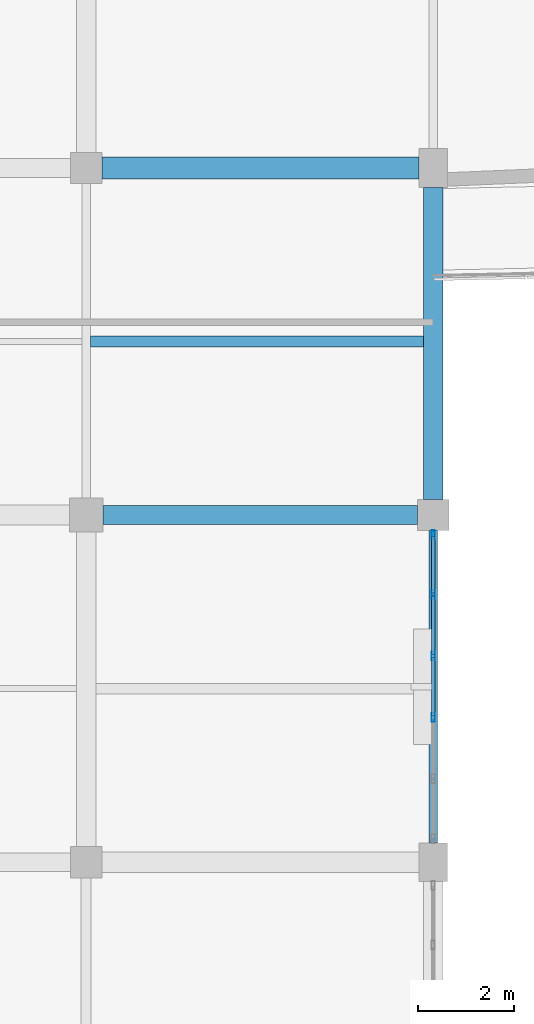
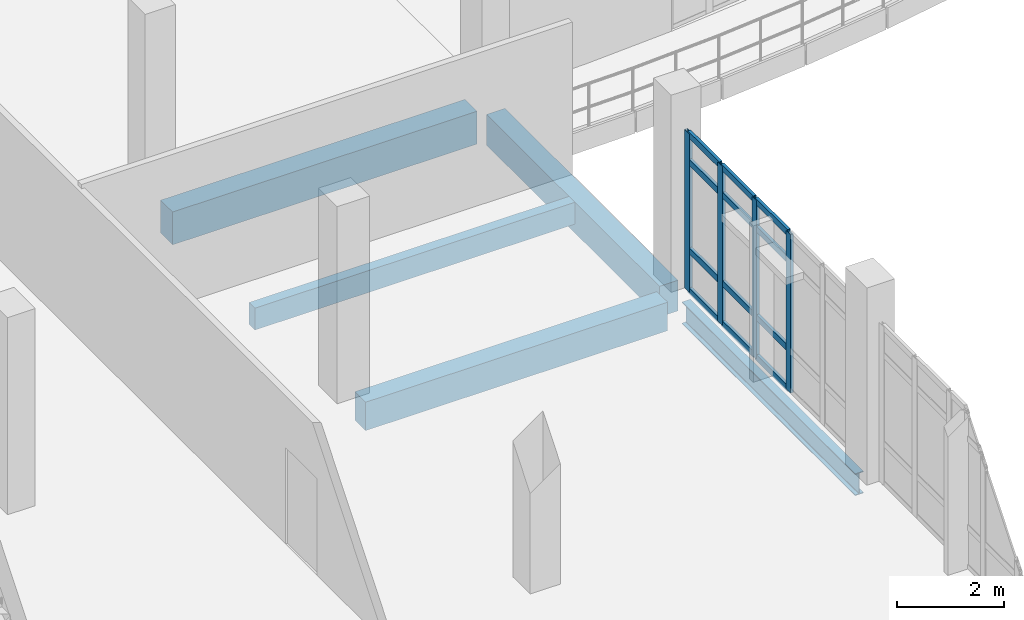
# One storey, part 30 of 116: 16 members, 5 beams, 1 element without a shape of its own.
"""IFC4 building model written with IfcOpenShell, lengths in metres."""

from ifc_helpers import new_model, si_unit, direction, frame, origin, origin_2d, place, context, subcontext, project, spatial, rectangle, hollow_rectangle, i_section, extrude, material, material_profile, profile_set, type_object, element, aggregate, save


model = new_model("IFC4")

# Units and contexts
model_context = context("Model", 3, precision=1e-05, world=origin(), true_north=direction((0.0, 1.0)))
body_context = subcontext(model_context, "Body", "Model", "MODEL_VIEW")
ifc_project = project(units=[si_unit("LENGTHUNIT", "METRE"), si_unit("AREAUNIT", "SQUARE_METRE"), si_unit("VOLUMEUNIT", "CUBIC_METRE"), si_unit("PLANEANGLEUNIT", "RADIAN"), si_unit("MASSUNIT", "GRAM", prefix="KILO")], contexts=[model_context])

# Site, building, storey
site_placement = place(None, origin())
site = spatial("IfcSite", under=ifc_project, at=site_placement, CompositionType="ELEMENT")
building_placement = place(site_placement, origin())
building = spatial("IfcBuilding", under=site, at=building_placement, Name="Kalluvel Institute of Natural Sciences", CompositionType="ELEMENT")
storey_placement = place(building_placement, frame((0.0, 0.0, 14.39990234375)))
storey = spatial("IfcBuildingStorey", under=building, at=storey_placement, Name="L03", CompositionType="ELEMENT", Elevation=14.39990234375)

# Beams
ifc_material_1 = material(Name="Steel E350 Grade 350", Category="steel")
ifc_material_profile_1 = material_profile(ifc_material_1, i_section(OverallWidth=0.179931640625, OverallDepth=0.5, WebThickness=0.01025390625, FlangeThickness=0.01708984375, FilletRadius=0.01708984375, at=origin_2d()), Name="ISMB 500")
ifc_profile_set_1 = profile_set([ifc_material_profile_1], Name="Steel E350 Grade 350")
beam_type_1 = type_object("IfcBeamType", Name="BM-ISMB500", PredefinedType="BEAM", material=ifc_profile_set_1)
beam_1_placement = place(storey_placement, frame((35.60009765625, 43.199951171875, -0.5498046875), z_axis=(0.0, 1.0, 0.0), x_axis=(-1.0, 0.0, 0.0)))
element("IfcBeam", 1, at=beam_1_placement, inside=storey, type_object=beam_type_1, Name="L03 girder GIR-L03-NS-X356-Y428", PredefinedType="BEAM", context=body_context, shape_type="SweptSolid", body=[
    extrude(i_section(OverallWidth=0.179931640625, OverallDepth=0.5, WebThickness=0.01025390625, FlangeThickness=0.01708984375, FilletRadius=0.01708984375, at=origin_2d()), origin(), (0.0, 0.0, 1.0), 6.47509765625),
])
ifc_material_2 = material(Name="Concrete M40", Category="concrete")
ifc_material_profile_2 = material_profile(ifc_material_2, rectangle(XDim=0.39990234375, YDim=0.64990234375, at=origin_2d()), Name="RCB 400x650")
ifc_profile_set_2 = profile_set([ifc_material_profile_2], Name="Concrete M40")
beam_type_2 = type_object("IfcBeamType", Name="BM-RC400x650", PredefinedType="BEAM", material=ifc_profile_set_2)
beam_2_placement = place(storey_placement, frame((28.75, 50.0, -0.625), z_axis=(1.0, 0.0, 0.0), x_axis=(0.0, 1.0, 0.0)))
element("IfcBeam", 2, at=beam_2_placement, inside=storey, type_object=beam_type_2, Name="L03 girder GIR-L03-EW-X284-Y500", PredefinedType="BEAM", context=body_context, shape_type="SweptSolid", body=[
    extrude(rectangle(XDim=0.39990234375, YDim=0.64990234375, at=origin_2d()), origin(), (0.0, 0.0, 1.0), 6.52490234375),
])
ifc_material_profile_3 = material_profile(ifc_material_2, rectangle(XDim=0.39990234375, YDim=0.699951171875, at=origin_2d()), Name="RCB 400x700")
ifc_profile_set_3 = profile_set([ifc_material_profile_3], Name="Concrete M40")
beam_type_3 = type_object("IfcBeamType", Name="BM-RC400x700", PredefinedType="BEAM", material=ifc_profile_set_3)
beam_3_placement = place(storey_placement, frame((35.60009765625, 50.324951171875, -0.64990234375), z_axis=(0.0, 1.0, 0.0), x_axis=(-1.0, 0.0, 0.0)))
element("IfcBeam", 3, at=beam_3_placement, inside=storey, type_object=beam_type_3, Name="L03 girder GIR-L03-NS-X356-Y500", PredefinedType="BEAM", context=body_context, shape_type="SweptSolid", body=[
    extrude(rectangle(XDim=0.39990234375, YDim=0.699951171875, at=origin_2d()), origin(), (0.0, 0.0, 1.0), 6.47509765625),
])
ifc_material_profile_4 = material_profile(ifc_material_2, rectangle(XDim=0.449951171875, YDim=0.75, at=origin_2d()), Name="RCB 450x750")
ifc_profile_set_4 = profile_set([ifc_material_profile_4], Name="Concrete M40")
beam_type_4 = type_object("IfcBeamType", Name="BM-RC450x750", PredefinedType="BEAM", material=ifc_profile_set_4)
beam_4_placement = place(storey_placement, frame((28.72509765625, 57.199951171875, -0.6748046875), z_axis=(1.0, 0.0, 0.0), x_axis=(0.0, 1.0, 0.0)))
element("IfcBeam", 4, at=beam_4_placement, inside=storey, type_object=beam_type_4, Name="L03 girder GIR-L03-EW-X284-Y572", PredefinedType="BEAM", context=body_context, shape_type="SweptSolid", body=[
    extrude(rectangle(XDim=0.449951171875, YDim=0.75, at=origin_2d()), origin(), (0.0, 0.0, 1.0), 6.574951171875),
])

# Curtain wall, members
ifc_material_3 = material(Name="Aluminium AW-6063 T6", Category="aluminium")
curtain_wall_type = type_object("IfcCurtainWallType", Name="CW-DRY-45", PredefinedType="USERDEFINED", material=ifc_material_3)
curtain_wall_placement = place(storey_placement, origin())
curtain_wall = element("IfcCurtainWall", 5, at=curtain_wall_placement, inside=storey, type_object=curtain_wall_type, Name="L03 Gothic lancet curtain wall CWA-L03-X356-Y432", ObjectType="UNITISED LANCET FACADE", PredefinedType="USERDEFINED")
ifc_material_profile_5 = material_profile(ifc_material_3, hollow_rectangle(XDim=0.06494140625, YDim=0.179931640625, WallThickness=0.00439453125, at=origin_2d()), Name="CWM 65x180")
ifc_profile_set_5 = profile_set([ifc_material_profile_5], Name="Aluminium AW-6063 T6")
member_type_1 = type_object("IfcMemberType", Name="CWM-65x180", PredefinedType="MULLION", material=ifc_profile_set_5)
member_1_placement = place(storey_placement, frame((35.60009765625, 45.800048828125, 0.0), z_axis=(0.0, 0.0, 1.0), x_axis=(-1.0, 0.0, 0.0)))
member_1 = element("IfcMember", 6, at=member_1_placement, type_object=member_type_1, Name="CW-03 mullion 3", PredefinedType="MULLION", context=body_context, shape_type="SweptSolid", body=[
    extrude(hollow_rectangle(XDim=0.06494140625, YDim=0.179931640625, WallThickness=0.00439453125, at=origin_2d()), origin(), (0.0, 0.0, 1.0), 3.6201171875),
])
member_2_placement = place(storey_placement, frame((35.60009765625, 47.074951171875, 0.0), z_axis=(0.0, 0.0, 1.0), x_axis=(-1.0, 0.0, 0.0)))
member_2 = element("IfcMember", 7, at=member_2_placement, type_object=member_type_1, Name="CW-03 mullion 4", PredefinedType="MULLION", context=body_context, shape_type="SweptSolid", body=[
    extrude(hollow_rectangle(XDim=0.06494140625, YDim=0.179931640625, WallThickness=0.00439453125, at=origin_2d()), origin(), (0.0, 0.0, 1.0), 3.6201171875),
])
member_3_placement = place(storey_placement, frame((35.60009765625, 48.35009765625, 0.0), z_axis=(0.0, 0.0, 1.0), x_axis=(-1.0, 0.0, 0.0)))
member_3 = element("IfcMember", 8, at=member_3_placement, type_object=member_type_1, Name="CW-03 mullion 5", PredefinedType="MULLION", context=body_context, shape_type="SweptSolid", body=[
    extrude(hollow_rectangle(XDim=0.06494140625, YDim=0.179931640625, WallThickness=0.00439453125, at=origin_2d()), origin(), (0.0, 0.0, 1.0), 3.6201171875),
])
member_4_placement = place(storey_placement, frame((35.60009765625, 49.592529296875, 0.0), z_axis=(0.0, 0.0, 1.0), x_axis=(-1.0, 0.0, 0.0)))
member_4 = element("IfcMember", 9, at=member_4_placement, type_object=member_type_1, Name="CW-03 mullion 6", PredefinedType="MULLION", context=body_context, shape_type="SweptSolid", body=[
    extrude(hollow_rectangle(XDim=0.06494140625, YDim=0.179931640625, WallThickness=0.00439453125, at=origin_2d()), origin(), (0.0, 0.0, 1.0), 3.6201171875),
])
ifc_material_profile_6 = material_profile(ifc_material_3, hollow_rectangle(XDim=0.06494140625, YDim=0.139892578125, WallThickness=0.00439453125, at=origin_2d()), Name="CWT 65x140")
ifc_profile_set_6 = profile_set([ifc_material_profile_6], Name="Aluminium AW-6063 T6")
member_type_2 = type_object("IfcMemberType", Name="CWT-65x140", PredefinedType="USERDEFINED", material=ifc_profile_set_6)
member_5_placement = place(storey_placement, frame((35.60009765625, 45.83251953125, 0.03271484375), z_axis=(0.0, 1.0, 0.0), x_axis=(-1.0, 0.0, 0.0)))
member_5 = element("IfcMember", 10, at=member_5_placement, type_object=member_type_2, Name="CW-03 transom 3.1", ObjectType="TRANSOM", PredefinedType="USERDEFINED", context=body_context, shape_type="SweptSolid", body=[
    extrude(hollow_rectangle(XDim=0.06494140625, YDim=0.139892578125, WallThickness=0.00439453125, at=origin_2d()), origin(), (0.0, 0.0, 1.0), 1.2099609375),
])
member_6_placement = place(storey_placement, frame((35.60009765625, 45.83251953125, 0.9501953125), z_axis=(0.0, 1.0, 0.0), x_axis=(-1.0, 0.0, 0.0)))
member_6 = element("IfcMember", 11, at=member_6_placement, type_object=member_type_2, Name="CW-03 transom 3.2", ObjectType="TRANSOM", PredefinedType="USERDEFINED", context=body_context, shape_type="SweptSolid", body=[
    extrude(hollow_rectangle(XDim=0.06494140625, YDim=0.139892578125, WallThickness=0.00439453125, at=origin_2d()), origin(), (0.0, 0.0, 1.0), 1.2099609375),
])
member_7_placement = place(storey_placement, frame((35.60009765625, 45.83251953125, 2.97021484375), z_axis=(0.0, 1.0, 0.0), x_axis=(-1.0, 0.0, 0.0)))
member_7 = element("IfcMember", 12, at=member_7_placement, type_object=member_type_2, Name="CW-03 transom 3.3", ObjectType="TRANSOM", PredefinedType="USERDEFINED", context=body_context, shape_type="SweptSolid", body=[
    extrude(hollow_rectangle(XDim=0.06494140625, YDim=0.139892578125, WallThickness=0.00439453125, at=origin_2d()), origin(), (0.0, 0.0, 1.0), 1.2099609375),
])
member_8_placement = place(storey_placement, frame((35.60009765625, 45.83251953125, 3.587646484375), z_axis=(0.0, 1.0, 0.0), x_axis=(-1.0, 0.0, 0.0)))
member_8 = element("IfcMember", 13, at=member_8_placement, type_object=member_type_2, Name="CW-03 transom 3.4", ObjectType="TRANSOM", PredefinedType="USERDEFINED", context=body_context, shape_type="SweptSolid", body=[
    extrude(hollow_rectangle(XDim=0.06494140625, YDim=0.139892578125, WallThickness=0.00439453125, at=origin_2d()), origin(), (0.0, 0.0, 1.0), 1.2099609375),
])
member_9_placement = place(storey_placement, frame((35.60009765625, 47.107421875, 0.03271484375), z_axis=(0.0, 1.0, 0.0), x_axis=(-1.0, 0.0, 0.0)))
member_9 = element("IfcMember", 14, at=member_9_placement, type_object=member_type_2, Name="CW-03 transom 4.1", ObjectType="TRANSOM", PredefinedType="USERDEFINED", context=body_context, shape_type="SweptSolid", body=[
    extrude(hollow_rectangle(XDim=0.06494140625, YDim=0.139892578125, WallThickness=0.00439453125, at=origin_2d()), origin(), (0.0, 0.0, 1.0), 1.2099609375),
])
member_10_placement = place(storey_placement, frame((35.60009765625, 47.107421875, 0.9501953125), z_axis=(0.0, 1.0, 0.0), x_axis=(-1.0, 0.0, 0.0)))
member_10 = element("IfcMember", 15, at=member_10_placement, type_object=member_type_2, Name="CW-03 transom 4.2", ObjectType="TRANSOM", PredefinedType="USERDEFINED", context=body_context, shape_type="SweptSolid", body=[
    extrude(hollow_rectangle(XDim=0.06494140625, YDim=0.139892578125, WallThickness=0.00439453125, at=origin_2d()), origin(), (0.0, 0.0, 1.0), 1.2099609375),
])
member_11_placement = place(storey_placement, frame((35.60009765625, 47.107421875, 2.97021484375), z_axis=(0.0, 1.0, 0.0), x_axis=(-1.0, 0.0, 0.0)))
member_11 = element("IfcMember", 16, at=member_11_placement, type_object=member_type_2, Name="CW-03 transom 4.3", ObjectType="TRANSOM", PredefinedType="USERDEFINED", context=body_context, shape_type="SweptSolid", body=[
    extrude(hollow_rectangle(XDim=0.06494140625, YDim=0.139892578125, WallThickness=0.00439453125, at=origin_2d()), origin(), (0.0, 0.0, 1.0), 1.2099609375),
])
member_12_placement = place(storey_placement, frame((35.60009765625, 47.107421875, 3.587646484375), z_axis=(0.0, 1.0, 0.0), x_axis=(-1.0, 0.0, 0.0)))
member_12 = element("IfcMember", 17, at=member_12_placement, type_object=member_type_2, Name="CW-03 transom 4.4", ObjectType="TRANSOM", PredefinedType="USERDEFINED", context=body_context, shape_type="SweptSolid", body=[
    extrude(hollow_rectangle(XDim=0.06494140625, YDim=0.139892578125, WallThickness=0.00439453125, at=origin_2d()), origin(), (0.0, 0.0, 1.0), 1.2099609375),
])
member_13_placement = place(storey_placement, frame((35.60009765625, 48.382568359375, 0.03271484375), z_axis=(0.0, 1.0, 0.0), x_axis=(-1.0, 0.0, 0.0)))
member_13 = element("IfcMember", 18, at=member_13_placement, type_object=member_type_2, Name="CW-03 transom 5.1", ObjectType="TRANSOM", PredefinedType="USERDEFINED", context=body_context, shape_type="SweptSolid", body=[
    extrude(hollow_rectangle(XDim=0.06494140625, YDim=0.139892578125, WallThickness=0.00439453125, at=origin_2d()), origin(), (0.0, 0.0, 1.0), 1.177490234375),
])
member_14_placement = place(storey_placement, frame((35.60009765625, 48.382568359375, 0.9501953125), z_axis=(0.0, 1.0, 0.0), x_axis=(-1.0, 0.0, 0.0)))
member_14 = element("IfcMember", 19, at=member_14_placement, type_object=member_type_2, Name="CW-03 transom 5.2", ObjectType="TRANSOM", PredefinedType="USERDEFINED", context=body_context, shape_type="SweptSolid", body=[
    extrude(hollow_rectangle(XDim=0.06494140625, YDim=0.139892578125, WallThickness=0.00439453125, at=origin_2d()), origin(), (0.0, 0.0, 1.0), 1.177490234375),
])
member_15_placement = place(storey_placement, frame((35.60009765625, 48.382568359375, 2.97021484375), z_axis=(0.0, 1.0, 0.0), x_axis=(-1.0, 0.0, 0.0)))
member_15 = element("IfcMember", 20, at=member_15_placement, type_object=member_type_2, Name="CW-03 transom 5.3", ObjectType="TRANSOM", PredefinedType="USERDEFINED", context=body_context, shape_type="SweptSolid", body=[
    extrude(hollow_rectangle(XDim=0.06494140625, YDim=0.139892578125, WallThickness=0.00439453125, at=origin_2d()), origin(), (0.0, 0.0, 1.0), 1.177490234375),
])
member_16_placement = place(storey_placement, frame((35.60009765625, 48.382568359375, 3.587646484375), z_axis=(0.0, 1.0, 0.0), x_axis=(-1.0, 0.0, 0.0)))
member_16 = element("IfcMember", 21, at=member_16_placement, type_object=member_type_2, Name="CW-03 transom 5.4", ObjectType="TRANSOM", PredefinedType="USERDEFINED", context=body_context, shape_type="SweptSolid", body=[
    extrude(hollow_rectangle(XDim=0.06494140625, YDim=0.139892578125, WallThickness=0.00439453125, at=origin_2d()), origin(), (0.0, 0.0, 1.0), 1.177490234375),
])
aggregate(curtain_wall, [member_1, member_2, member_3, member_4, member_5, member_6, member_7, member_8, member_9, member_10, member_11, member_12, member_13, member_14, member_15, member_16])

# Beam
ifc_material_profile_7 = material_profile(ifc_material_2, rectangle(XDim=0.219970703125, YDim=0.5, at=origin_2d()), Name="WAF 220x500")
ifc_profile_set_7 = profile_set([ifc_material_profile_7], Name="Concrete M40")
beam_type_5 = type_object("IfcBeamType", Name="WJ-220x500", PredefinedType="JOIST", material=ifc_profile_set_7)
beam_5_placement = place(storey_placement, frame((28.489990234375, 53.60009765625, -0.5498046875), z_axis=(1.0, 0.0, 0.0), x_axis=(0.0, 1.0, 0.0)))
element("IfcBeam", 22, at=beam_5_placement, inside=storey, type_object=beam_type_5, Name="L03 floor rib RIB-L03-0694", PredefinedType="JOIST", context=body_context, shape_type="SweptSolid", body=[
    extrude(rectangle(XDim=0.219970703125, YDim=0.5, at=origin_2d()), origin(), (0.0, 0.0, 1.0), 6.909912109375),
])

save(model, "model.ifc")
